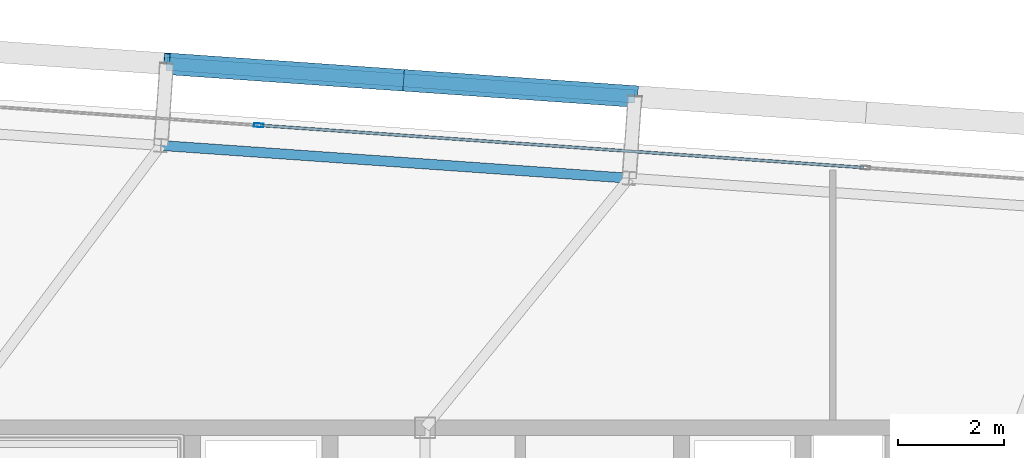
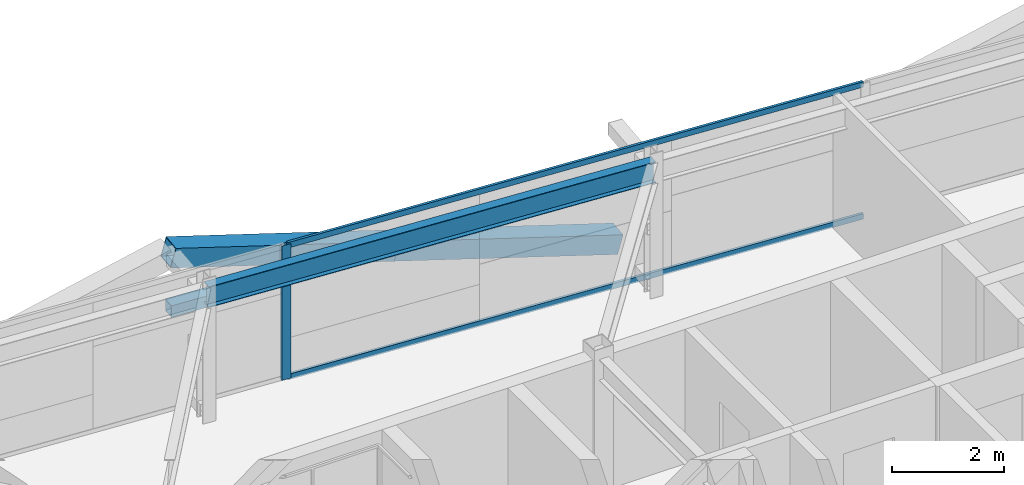
# One storey, part 21 of 39: 6 members, 1 beam, 1 element without a shape of its own.
"""IFC4 building model written with IfcOpenShell, lengths in metres."""

from ifc_helpers import new_model, si_unit, direction, frame, origin, origin_2d, place, context, subcontext, project, spatial, hollow_rectangle, i_section, extrude, source, transform, mapped, material, layer, layer_set, material_profile, profile_set, type_object, element, aggregate, save


model = new_model("IFC4")

# Units and contexts
model_context = context("Model", 3, precision=1e-05, world=origin(), true_north=direction((0.0, 1.0)))
body_context = subcontext(model_context, "Body", "Model", "MODEL_VIEW")
ifc_project = project(units=[si_unit("LENGTHUNIT", "METRE"), si_unit("AREAUNIT", "SQUARE_METRE"), si_unit("VOLUMEUNIT", "CUBIC_METRE"), si_unit("PLANEANGLEUNIT", "RADIAN"), si_unit("MASSUNIT", "GRAM", prefix="KILO")], contexts=[model_context])

# Site, building, storey
site_placement = place(None, origin())
site = spatial("IfcSite", under=ifc_project, at=site_placement, CompositionType="ELEMENT")
building_placement = place(site_placement, origin())
building = spatial("IfcBuilding", under=site, at=building_placement, Name="Taldren Reach Tower", CompositionType="ELEMENT")
storey_placement = place(building_placement, frame((0.0, 0.0, 120.39990234375)))
storey = spatial("IfcBuildingStorey", under=building, at=storey_placement, Name="L36", CompositionType="ELEMENT", Elevation=120.39990234375)

# Beam
ifc_material_1 = material(Name="Steel Gr 350 (350PLUS)", Category="steel")
ifc_material_profile_1 = material_profile(ifc_material_1, i_section(OverallWidth=0.18994140625, OverallDepth=0.4541015625, WebThickness=0.008544921875, FlangeThickness=0.0126953125, at=origin_2d()), Name="460UB67.1")
ifc_profile_set_1 = profile_set([ifc_material_profile_1], Name="Steel Gr 350 (350PLUS)")
beam_type = type_object("IfcBeamType", Name="SP-UB460B", PredefinedType="SPANDREL", material=ifc_profile_set_1)
shared_shape_1 = source(origin(), body_context, "Body", "SweptSolid", [
    extrude(i_section(OverallWidth=0.18994140625, OverallDepth=0.4541015625, WebThickness=0.008544921875, FlangeThickness=0.0126953125, at=origin_2d()), origin(), (0.0, 0.0, 1.0), 8.880126953125),
])
beam_placement = place(storey_placement, frame((31.861328125, 36.719970703125, 2.703125), z_axis=(-0.997564479639, 0.069750333063, 0.0), x_axis=(-0.069750333063, -0.997564479639, 0.0)))
element("IfcBeam", 1, at=beam_placement, inside=storey, type_object=beam_type, Name="Perimeter spandrel B3 N3-N2 L36", PredefinedType="SPANDREL", context=body_context, shape_type="MappedRepresentation", body=[
    mapped(shared_shape_1, transform((0.0, 0.0, 0.0), scale=1.0)),
])

# Members
ifc_material_2 = material(Name="Steel Gr 350 (C350L0)", Category="steel")
ifc_material_profile_2 = material_profile(ifc_material_2, hollow_rectangle(XDim=0.25, YDim=0.25, WallThickness=0.010009765625, at=origin_2d()), Name="250x250x10.0SHS")
ifc_profile_set_2 = profile_set([ifc_material_profile_2], Name="Steel Gr 350 (C350L0)")
member_type_1 = type_object("IfcMemberType", Name="MB-POST250", PredefinedType="POST", material=ifc_profile_set_2)
shared_shape_2 = source(origin(), body_context, "Body", "SweptSolid", [
    extrude(hollow_rectangle(XDim=0.25, YDim=0.25, WallThickness=0.010009765625, at=origin_2d()), origin(), (0.0, 0.0, 1.0), 8.880126953125),
])
member_1_placement = place(storey_placement, frame((23.111083984375, 38.885498046875, 1.43505859375), z_axis=(0.997564479639, -0.069750333063, 0.0), x_axis=(0.069750333063, 0.997564479639, 0.0)))
element("IfcMember", 2, at=member_1_placement, inside=storey, type_object=member_type_1, Name="Exoskeleton mid-height ring chord B3-N2 L36", PredefinedType="POST", context=body_context, shape_type="MappedRepresentation", body=[
    mapped(shared_shape_2, transform((0.0, 0.0, 0.0), scale=1.0)),
])
ifc_material_3 = material(Name="Steel Gr 450 (C450L0)", Category="steel")
ifc_material_profile_3 = material_profile(ifc_material_3, hollow_rectangle(XDim=0.409912109375, YDim=0.409912109375, WallThickness=0.01611328125, at=origin_2d()), Name="410x410x16.0SHS")
ifc_profile_set_3 = profile_set([ifc_material_profile_3], Name="Steel Gr 450 (C450L0)")
member_type_2 = type_object("IfcMemberType", Name="MB-EXO406", PredefinedType="BRACE", material=ifc_profile_set_3)
shared_shape_3 = source(origin(), body_context, "Body", "SweptSolid", [
    extrude(hollow_rectangle(XDim=0.409912109375, YDim=0.409912109375, WallThickness=0.01611328125, at=origin_2d()), origin(), (0.0, 0.0, 1.0), 4.603271484375),
])
for number, where, z_axis, x_axis, name in (
    (3, (31.969482421875, 38.26611328125, 0.22021484375), (-0.962195820062, 0.067303852699, 0.263911718699), (-0.06977769246, -0.997562566276, 0.0), "Exoskeleton Diagrid Brace B3-N2 L36"),
    (4, (27.540283203125, 38.575927734375, 1.43505859375), (-0.962185784239, 0.067250114343, 0.263962002434), (-0.069722973508, -0.997566392259, 0.0), "Exoskeleton Diagrid Brace B3-N2 L36"),
):
    element("IfcMember", number, at=place(storey_placement, frame(where, z_axis=z_axis, x_axis=x_axis)), inside=storey, type_object=member_type_2, Name=name, PredefinedType="BRACE", context=body_context, shape_type="MappedRepresentation", body=[
        mapped(shared_shape_3, transform((0.0, 0.0, 0.0), scale=1.0)),
    ])

# Curtain wall, members
ifc_material_4 = material(Name="Aluminium and Low-E Glass Unitised System", Category="aluminium")
ifc_layer = layer(ifc_material_4, 0.159912109375)
ifc_layer_set = layer_set([ifc_layer], Name="Aluminium and Low-E Glass Unitised System")
curtain_wall_type = type_object("IfcCurtainWallType", Name="CW-SYS-4", PredefinedType="NOTDEFINED", material=ifc_layer_set)
curtain_wall_placement = place(storey_placement, origin())
curtain_wall = element("IfcCurtainWall", 5, at=curtain_wall_placement, inside=storey, type_object=curtain_wall_type, Name="Unitised curtain wall CW-L36-N", PredefinedType="NOTDEFINED")
ifc_material_5 = material(Name="Anodised Aluminium 6063-T6", Category="aluminium")
ifc_material_profile_4 = material_profile(ifc_material_5, hollow_rectangle(XDim=0.070068359375, YDim=0.179931640625, WallThickness=0.00390625, at=origin_2d()), Name="ALU-180x70x4RHS")
ifc_profile_set_4 = profile_set([ifc_material_profile_4], Name="Anodised Aluminium 6063-T6")
member_type_3 = type_object("IfcMemberType", Name="CW-MUL-180", PredefinedType="MULLION", material=ifc_profile_set_4)
shared_shape_4 = source(origin(), body_context, "Body", "SweptSolid", [
    extrude(hollow_rectangle(XDim=0.070068359375, YDim=0.179931640625, WallThickness=0.00390625, at=origin_2d()), origin(), (0.0, 0.0, 1.0), 2.93017578125),
])
member_2_placement = place(storey_placement, frame((24.85400390625, 37.72119140625, 0.0), z_axis=(0.0, 0.0, 1.0), x_axis=(-0.06975651593, -0.99756404731, 0.0)))
member_2 = element("IfcMember", 6, at=member_2_placement, type_object=member_type_3, Name="CW-4 mullion 4", PredefinedType="MULLION", context=body_context, shape_type="MappedRepresentation", body=[
    mapped(shared_shape_4, transform((0.0, 0.0, 0.0), scale=1.0)),
])
ifc_material_profile_5 = material_profile(ifc_material_5, hollow_rectangle(XDim=0.054931640625, YDim=0.1201171875, WallThickness=0.0029296875, at=origin_2d()), Name="ALU-120x55x3RHS")
ifc_profile_set_5 = profile_set([ifc_material_profile_5], Name="Anodised Aluminium 6063-T6")
member_type_4 = type_object("IfcMemberType", Name="CW-TRN-135", PredefinedType="USERDEFINED", material=ifc_profile_set_5)
shared_shape_5 = source(origin(), body_context, "Body", "SweptSolid", [
    extrude(hollow_rectangle(XDim=0.054931640625, YDim=0.1201171875, WallThickness=0.0029296875, at=origin_2d()), origin(), (0.0, 0.0, 1.0), 11.43017578125),
])
member_3_placement = place(storey_placement, frame((36.291259765625, 36.92138671875, 0.027587890625), z_axis=(-0.997563844883, 0.069759410701, 0.0), x_axis=(-0.069759410701, -0.997563844883, 0.0)))
member_3 = element("IfcMember", 7, at=member_3_placement, type_object=member_type_4, Name="CW-4 transom 3.1", ObjectType="TRANSOM", PredefinedType="USERDEFINED", context=body_context, shape_type="MappedRepresentation", body=[
    mapped(shared_shape_5, transform((0.0, 0.0, 0.0), scale=1.0)),
])
member_4_placement = place(storey_placement, frame((36.291259765625, 36.92138671875, 2.902587890625), z_axis=(-0.997563844883, 0.069759410701, 0.0), x_axis=(-0.069759410701, -0.997563844883, 0.0)))
member_4 = element("IfcMember", 8, at=member_4_placement, type_object=member_type_4, Name="CW-4 transom 3.2", ObjectType="TRANSOM", PredefinedType="USERDEFINED", context=body_context, shape_type="MappedRepresentation", body=[
    mapped(shared_shape_5, transform((0.0, 0.0, 0.0), scale=1.0)),
])
aggregate(curtain_wall, [member_2, member_3, member_4])

save(model, "model.ifc")
